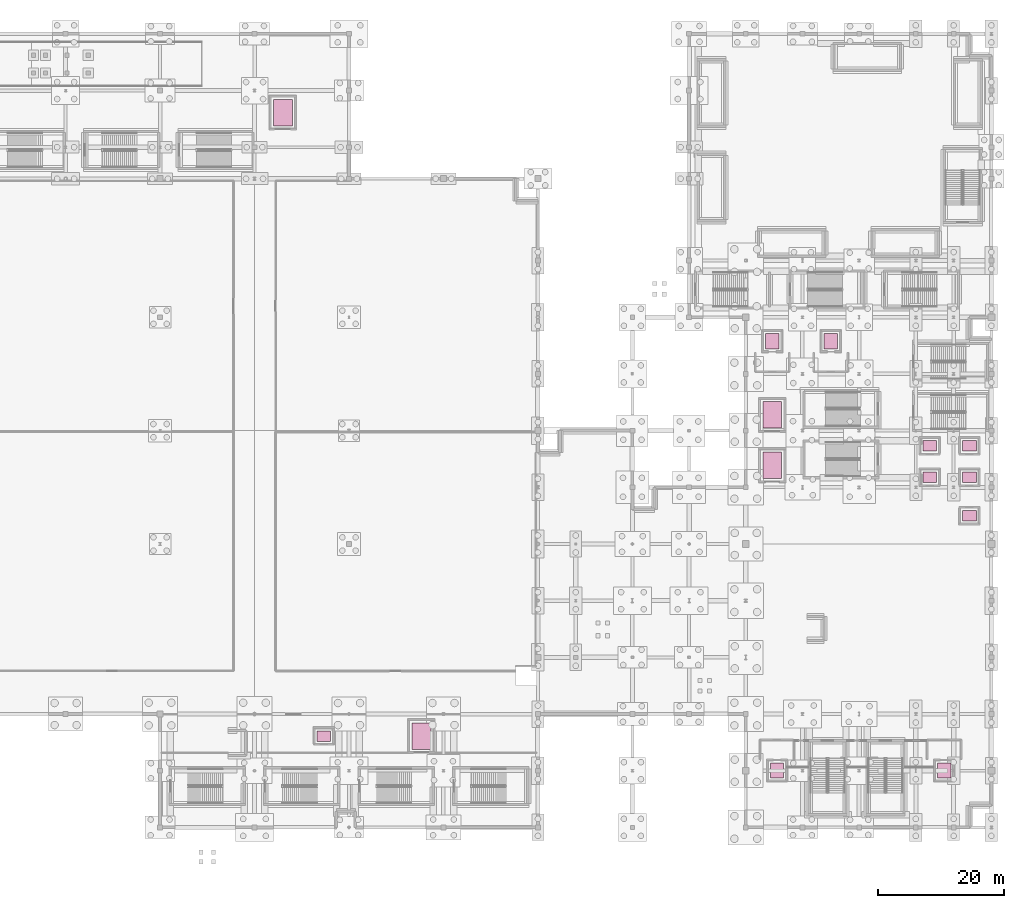
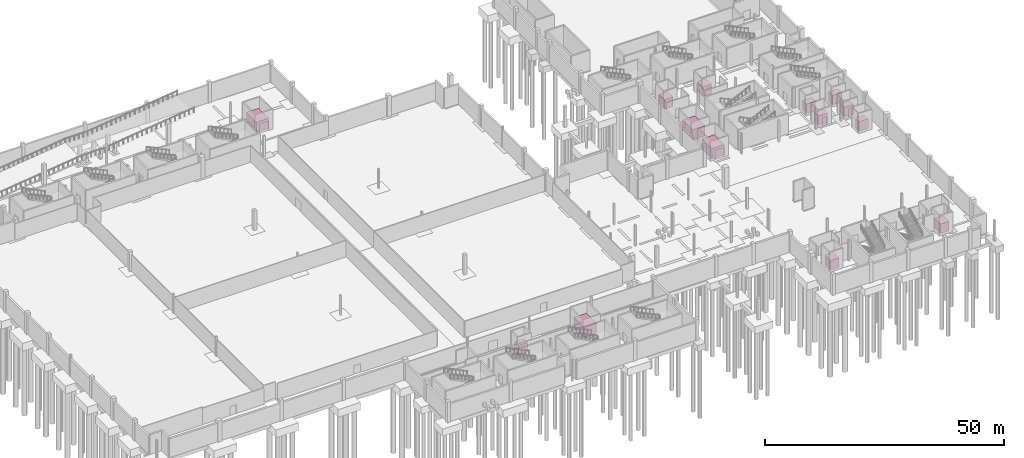
# One storey, part 58 of 58: 14 transport elements.
"""IFC4 building model written with IfcOpenShell, lengths in metres."""

from ifc_helpers import new_model, si_unit, direction, frame, origin, origin_2d, place, context, subcontext, project, spatial, rectangle, extrude, material, type_object, element, save


model = new_model("IFC4")

# Units and contexts
model_context = context("Model", 3, precision=1e-05, world=origin(), true_north=direction((0.0, 1.0)))
body_context = subcontext(model_context, "Body", "Model", "MODEL_VIEW")
ifc_project = project(units=[si_unit("LENGTHUNIT", "METRE"), si_unit("AREAUNIT", "SQUARE_METRE"), si_unit("VOLUMEUNIT", "CUBIC_METRE"), si_unit("PLANEANGLEUNIT", "RADIAN"), si_unit("MASSUNIT", "GRAM", prefix="KILO")], contexts=[model_context])

# Site, building, storey
site_placement = place(None, origin())
site = spatial("IfcSite", under=ifc_project, at=site_placement, CompositionType="ELEMENT")
building_placement = place(site_placement, origin())
building = spatial("IfcBuilding", under=site, at=building_placement, Name="Qamarlyn Nura Convention Centre", CompositionType="ELEMENT")
storey_placement = place(building_placement, frame((0.0, 0.0, -5.39990234375)))
storey = spatial("IfcBuildingStorey", under=building, at=storey_placement, Name="B01", CompositionType="ELEMENT", Elevation=-5.39990234375)

# Transport elements
ifc_material_1 = material(Name="Marine Grade 316 stainless steel", Category="steel")
transport_element_type_1 = type_object("IfcTransportElementType", Name="LIFT-FFL-2000", PredefinedType="ELEVATOR", material=ifc_material_1)
for number, where, z_axis, x_axis, name in (
    (1, (157.949951171875, 9.050048828125, 0.0), (0.0, 0.0, 1.0), (1.0, 0.0, 0.0), "Firefighting lift FFL-01"),
    (2, (184.5, 9.050048828125, 0.0), (0.0, 0.0, 1.0), (1.0, 0.0, 0.0), "Firefighting lift FFL-02"),
    (3, (157.199951171875, 77.199951171875, 0.0), (0.0, 0.0, 1.0), (1.0, 0.0, 0.0), "Firefighting lift FFL-03"),
    (4, (166.5, 77.199951171875, 0.0), (0.0, 0.0, 1.0), (1.0, 0.0, 0.0), "Firefighting lift FFL-04"),
):
    element("IfcTransportElement", number, at=place(storey_placement, frame(where, z_axis=z_axis, x_axis=x_axis)), inside=storey, type_object=transport_element_type_1, Name=name, PredefinedType="ELEVATOR", context=body_context, shape_type="SweptSolid", body=[
        extrude(rectangle(XDim=2.10009765625, YDim=2.39990234375, at=origin_2d()), origin(), (0.0, 0.0, 1.0), 2.449951171875),
    ])
ifc_material_2 = material(Name="Steel ASTM A500 Grade C", Category="steel")
transport_element_type_2 = type_object("IfcTransportElementType", Name="LIFT-FRT-5000", PredefinedType="ELEVATOR", material=ifc_material_2)
for number, where, z_axis, x_axis, name in (
    (5, (79.5, 113.5, -0.000244140625), (0.0, 0.0, 1.0), (1.0, 0.0, 0.0), "Lift FL-01"),
    (6, (101.5, 14.5, -0.000244140625), (0.0, 0.0, 1.0), (1.0, 0.0, 0.0), "Lift FL-02"),
    (7, (157.199951171875, 57.5, -0.000244140625), (0.0, 0.0, 1.0), (1.0, 0.0, 0.0), "Lift FL-03"),
    (8, (157.199951171875, 65.5, -0.000244140625), (0.0, 0.0, 1.0), (1.0, 0.0, 0.0), "Lift FL-04"),
):
    element("IfcTransportElement", number, at=place(storey_placement, frame(where, z_axis=z_axis, x_axis=x_axis)), inside=storey, type_object=transport_element_type_2, Name=name, PredefinedType="ELEVATOR", context=body_context, shape_type="SweptSolid", body=[
        extrude(rectangle(XDim=3.0, YDim=4.199951171875, at=origin_2d()), origin(), (0.0, 0.0, 1.0), 2.60009765625),
    ])
transport_element_type_3 = type_object("IfcTransportElementType", Name="LIFT-PAX-1600", PredefinedType="ELEVATOR", material=ifc_material_1)
for number, where, z_axis, x_axis, name in (
    (9, (182.199951171875, 60.60009765625, 0.0), (0.0, 0.0, 1.0), (1.0, 0.0, 0.0), "Lift PL-01"),
    (10, (188.5, 60.60009765625, 0.0), (0.0, 0.0, 1.0), (1.0, 0.0, 0.0), "Lift PL-02"),
    (11, (182.199951171875, 55.60009765625, 0.0), (0.0, 0.0, 1.0), (1.0, 0.0, 0.0), "Lift PL-03"),
    (12, (188.5, 55.60009765625, 0.0), (0.0, 0.0, 1.0), (1.0, 0.0, 0.0), "Lift PL-04"),
    (13, (188.5, 49.5, 0.0), (0.0, 0.0, 1.0), (1.0, 0.0, 0.0), "Lift PL-05"),
    (14, (86.0, 14.5, 0.0), (0.0, 0.0, 1.0), (1.0, 0.0, 0.0), "Lift PL-06"),
):
    element("IfcTransportElement", number, at=place(storey_placement, frame(where, z_axis=z_axis, x_axis=x_axis)), inside=storey, type_object=transport_element_type_3, Name=name, PredefinedType="ELEVATOR", context=body_context, shape_type="SweptSolid", body=[
        extrude(rectangle(XDim=2.199951171875, YDim=1.64990234375, at=origin_2d()), origin(), (0.0, 0.0, 1.0), 2.449951171875),
    ])

save(model, "model.ifc")
